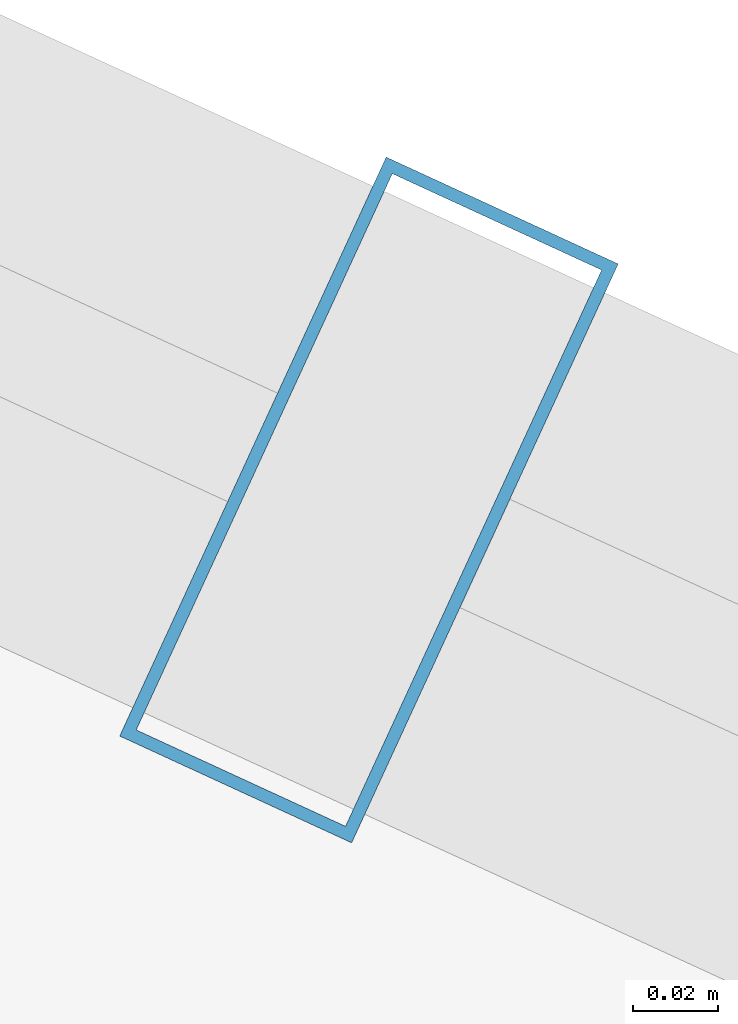
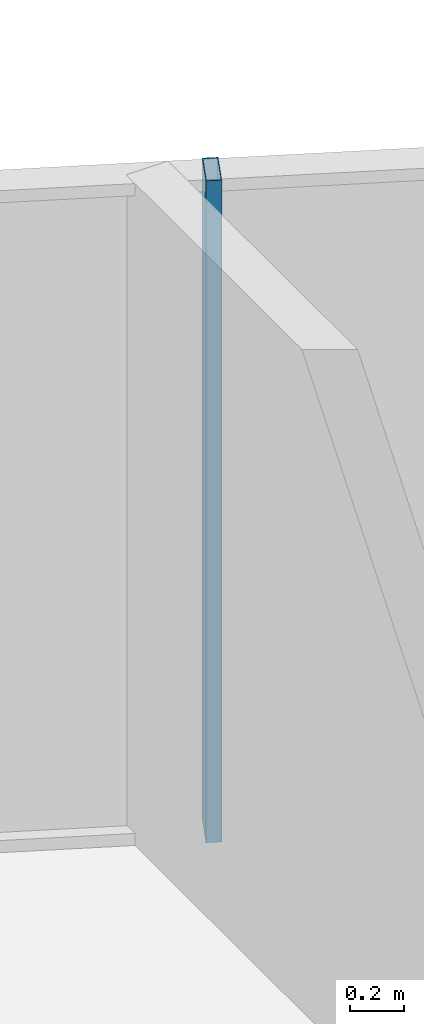
# One storey, part 24 of 32: 1 member, 1 element without a shape of its own.
"""IFC4 building model written with IfcOpenShell, lengths in metres."""

from ifc_helpers import new_model, si_unit, direction, frame, origin, origin_2d, place, context, subcontext, project, spatial, hollow_rectangle, extrude, source, transform, mapped, material, layer, layer_set, material_profile, profile_set, type_object, element, aggregate, save


model = new_model("IFC4")

# Units and contexts
model_context = context("Model", 3, precision=1e-05, world=origin(), true_north=direction((0.0, 1.0)))
body_context = subcontext(model_context, "Body", "Model", "MODEL_VIEW")
ifc_project = project(units=[si_unit("LENGTHUNIT", "METRE"), si_unit("AREAUNIT", "SQUARE_METRE"), si_unit("VOLUMEUNIT", "CUBIC_METRE"), si_unit("PLANEANGLEUNIT", "RADIAN"), si_unit("MASSUNIT", "GRAM", prefix="KILO")], contexts=[model_context])

# Site, building, storey
site_placement = place(None, origin())
site = spatial("IfcSite", under=ifc_project, at=site_placement, CompositionType="ELEMENT")
building_placement = place(site_placement, origin())
building = spatial("IfcBuilding", under=site, at=building_placement, Name="Veraguas Prism Commons", CompositionType="ELEMENT")
storey_placement = place(building_placement, frame((0.0, 0.0, 188.60009765625)))
storey = spatial("IfcBuildingStorey", under=building, at=storey_placement, Name="L53", CompositionType="ELEMENT", Elevation=188.60009765625)

# Curtain wall, member
ifc_material = material(Name="Anodised aluminium EN AW-6063 T6", Category="aluminium")
ifc_layer = layer(ifc_material, 0.14990234375, Name="Unitised Flush Curtain Wall Zone 3", Category="aluminium")
ifc_layer_set = layer_set([ifc_layer], Name="Anodised aluminium EN AW-6063 T6")
curtain_wall_type = type_object("IfcCurtainWallType", Name="Unitised Flush Curtain Wall Zone 3", PredefinedType="NOTDEFINED", material=ifc_layer_set)
curtain_wall_placement = place(storey_placement, origin())
curtain_wall = element("IfcCurtainWall", 1, at=curtain_wall_placement, inside=storey, type_object=curtain_wall_type, Name="Tower Facade Curtain Wall L53-F1", PredefinedType="NOTDEFINED")
ifc_material_profile = material_profile(ifc_material, hollow_rectangle(XDim=0.06005859375, YDim=0.14990234375, WallThickness=0.0029296875, at=origin_2d()), Name="AL60X150X3")
ifc_profile_set = profile_set([ifc_material_profile], Name="Anodised aluminium EN AW-6063 T6")
member_type = type_object("IfcMemberType", Name="Curtain Wall Mullion Upper AL 60x150x3", PredefinedType="MULLION", material=ifc_profile_set)
shared_shape = source(origin(), body_context, "Body", "SweptSolid", [
    extrude(hollow_rectangle(XDim=0.06005859375, YDim=0.14990234375, WallThickness=0.0029296875, at=origin_2d()), origin(), (0.0, 0.0, 1.0), 3.014892578125),
])
member_placement = place(storey_placement, frame((31.406005859375, 40.08740234375, 0.0), z_axis=(0.0, 0.0, 1.0), x_axis=(-0.908361529184, 0.418185762907, 0.0)))
member = element("IfcMember", 2, at=member_placement, type_object=member_type, Name="CW-Z3 Mullion 3", PredefinedType="MULLION", context=body_context, shape_type="MappedRepresentation", body=[
    mapped(shared_shape, transform((0.0, 0.0, 0.0), scale=1.0)),
])
aggregate(curtain_wall, [member])

save(model, "model.ifc")
